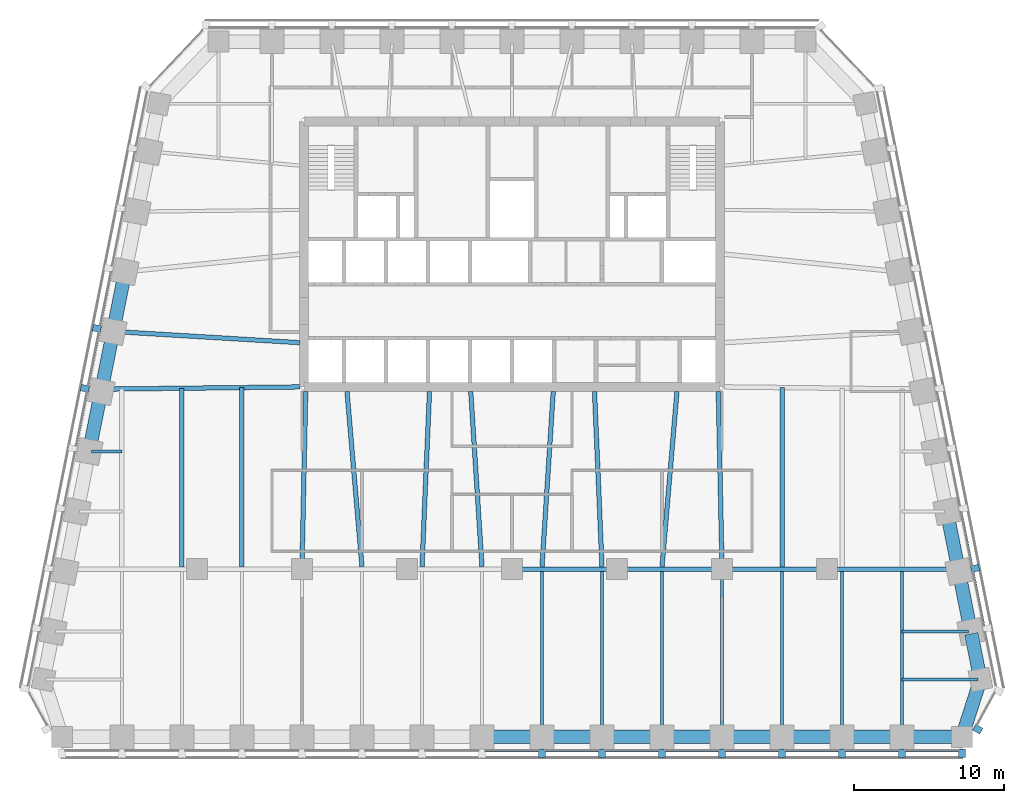
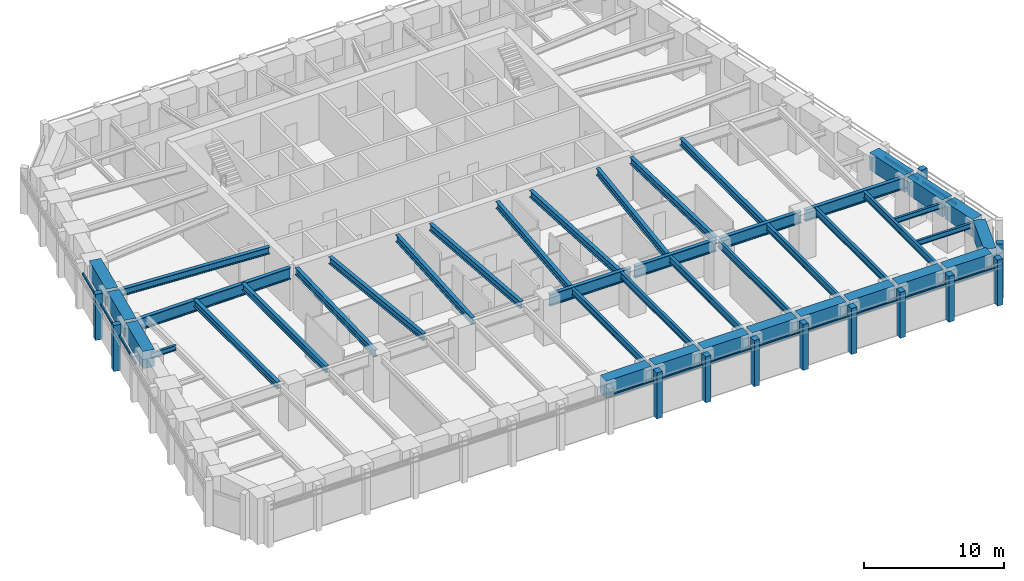
# One storey, part 2 of 10: 42 beams, 25 members, 4 elements without a shape of their own.
"""IFC4 building model written with IfcOpenShell, lengths in metres."""

import ifcopenshell
import ifcopenshell.guid

model = None  # the IFC model being written
_history = None  # IfcOwnerHistory: only IFC2X3 demands one
_inside = {}  # id of a spatial element -> (the spatial element, [elements in it])
_under = {}  # id of a project, library or spatial element -> (it, [spatial elements below it])
_declared = {}  # id of a project -> (the project, [libraries it declares])
_typed = {}  # id of a type object -> (the type object, [elements of that type])
_made_of = {}  # id of a material, layer set ... -> (it, [elements and type objects made of it])


def new_model(schema):
    """Start an empty IFC model of exactly this schema.

    Asked for "IFC4X3", IfcOpenShell would pick the latest addendum, in which some entities
    have other attributes; the version numbers below select the first issue.
    IFC2X3 requires an IfcOwnerHistory on every rooted entity: one is made here for all.
    """
    global model, _history
    if schema == "IFC4X3":
        model = ifcopenshell.file(schema_version=(4, 3, 0, 0))
    else:
        model = ifcopenshell.file(schema=schema)
    _inside.clear()
    _under.clear()
    _declared.clear()
    _typed.clear()
    _made_of.clear()
    _history = None
    if model.schema == "IFC2X3":
        org = make("IfcOrganization", Name="unknown")
        user = make(
            "IfcPersonAndOrganization",
            ThePerson=make("IfcPerson", FamilyName="unknown"),
            TheOrganization=org,
        )
        app = make(
            "IfcApplication",
            ApplicationDeveloper=org,
            Version="unknown",
            ApplicationFullName="unknown",
            ApplicationIdentifier="unknown",
        )
        _history = make(
            "IfcOwnerHistory",
            OwningUser=user,
            OwningApplication=app,
            ChangeAction="ADDED",
            CreationDate=0,
        )
    return model


def make(cls, **values):
    """One entity of the class cls with the attributes given. An attribute that is None is left unset."""
    return model.create_entity(
        cls, **{name: value for name, value in values.items() if value is not None}
    )


def rooted(cls, **values):
    """An entity with a GlobalId (a new one), such as an element, a storey or a relation."""
    return make(cls, GlobalId=ifcopenshell.guid.new(), OwnerHistory=_history, **values)


def si_unit(unit_type, name, prefix=None):
    """IfcSIUnit, for example si_unit("LENGTHUNIT", "METRE", prefix="MILLI")."""
    return make("IfcSIUnit", UnitType=unit_type, Prefix=prefix, Name=name)


def assignment(units):
    """IfcUnitAssignment: the units of a project."""
    return None if units is None else make("IfcUnitAssignment", Units=units)


def point(xyz):
    """IfcCartesianPoint."""
    return None if xyz is None else make("IfcCartesianPoint", Coordinates=xyz)


def direction(xyz):
    """IfcDirection."""
    return None if xyz is None else make("IfcDirection", DirectionRatios=xyz)


def frame(location, z_axis=None, x_axis=None):
    """IfcAxis2Placement3D, a coordinate frame: its origin and axes. An axis left out is left unset."""
    return make(
        "IfcAxis2Placement3D",
        Location=point(location),
        Axis=direction(z_axis),
        RefDirection=direction(x_axis),
    )


def frame_2d(location, x_axis=None):
    """IfcAxis2Placement2D, a coordinate frame in the plane: its origin and x axis."""
    return make(
        "IfcAxis2Placement2D", Location=point(location), RefDirection=direction(x_axis)
    )


def origin():
    """The frame at (0, 0, 0) with its axes left unset."""
    return frame((0.0, 0.0, 0.0))


def origin_2d():
    """The frame at (0, 0) in the plane with its x axis left unset."""
    return frame_2d((0.0, 0.0))


def place(relative_to, where):
    """IfcLocalPlacement: puts the frame where relative to a parent placement (None: the world)."""
    return make(
        "IfcLocalPlacement", PlacementRelTo=relative_to, RelativePlacement=where
    )


def context(
    kind, dimensions, precision=None, world=None, true_north=None, identifier=None
):
    """IfcGeometricRepresentationContext, for example the 3D "Model" context."""
    return make(
        "IfcGeometricRepresentationContext",
        ContextIdentifier=identifier,
        ContextType=kind,
        CoordinateSpaceDimension=dimensions,
        Precision=precision,
        WorldCoordinateSystem=world,
        TrueNorth=true_north,
    )


def subcontext(parent, identifier, kind, view, scale=None):
    """IfcGeometricRepresentationSubContext, for example "Body" below "Model"."""
    return make(
        "IfcGeometricRepresentationSubContext",
        ContextIdentifier=identifier,
        ContextType=kind,
        ParentContext=parent,
        TargetScale=scale,
        TargetView=view,
    )


def project(units=None, contexts=None):
    """IfcProject with its units and contexts."""
    return rooted(
        "IfcProject",
        Name="project",
        RepresentationContexts=contexts,
        UnitsInContext=assignment(units),
    )


def spatial(cls, under=None, at=None, **own):
    """A site, building, storey or space (cls), placed at a placement, below another one or the project."""
    s = rooted(cls, ObjectPlacement=at, **own)
    if under is not None:
        _under.setdefault(under.id(), (under, []))[1].append(s)
    return s


def profile(cls, at=None, kind="AREA", **sizes):
    """A parametric profile (cls). Its sizes go by their IFC names, for example OverallWidth=200.0."""
    return make(cls, ProfileType=kind, Position=at, **sizes)


def rectangle(**sizes):
    """IfcRectangleProfileDef."""
    return profile("IfcRectangleProfileDef", **sizes)


def i_section(**sizes):
    """IfcIShapeProfileDef."""
    return profile("IfcIShapeProfileDef", **sizes)


def extrude(swept, where, along, depth):
    """IfcExtrudedAreaSolid: the profile swept, set in the frame where, extruded along a direction by depth."""
    return make(
        "IfcExtrudedAreaSolid",
        SweptArea=swept,
        Position=where,
        ExtrudedDirection=direction(along),
        Depth=depth,
    )


def shape(context_of_items, identifier, shape_type, items):
    """IfcShapeRepresentation: the items that make up one representation, for example the "Body"."""
    return make(
        "IfcShapeRepresentation",
        ContextOfItems=context_of_items,
        RepresentationIdentifier=identifier,
        RepresentationType=shape_type,
        Items=items,
    )


def material(Name=None, Category=None):
    """IfcMaterial."""
    return make("IfcMaterial", Name=Name, Category=Category)


def material_profile(
    of_material, cross_section, Name=None, Category=None, Priority=None
):
    """IfcMaterialProfile: a cross section and its material."""
    return make(
        "IfcMaterialProfile",
        Name=Name,
        Material=of_material,
        Profile=cross_section,
        Priority=Priority,
        Category=Category,
    )


def profile_set(profiles, Name=None, composite=None):
    """IfcMaterialProfileSet."""
    return make(
        "IfcMaterialProfileSet",
        Name=Name,
        MaterialProfiles=profiles,
        CompositeProfile=composite,
    )


def made_of(thing, what):
    """Note that an element or type object is made of a material, layer set ...; save() writes the relation."""
    if what is not None:
        _made_of.setdefault(what.id(), (what, []))[1].append(thing)
    return thing


def type_object(cls, material=None, **own):
    """A type object (cls), such as IfcWallType, which elements share."""
    return made_of(rooted(cls, **own), material)


def element(
    cls,
    number,
    at=None,
    inside=None,
    cuts=None,
    type_object=None,
    material=None,
    context=None,
    identifier="Body",
    shape_type=None,
    held_by="IfcProductDefinitionShape",
    body=None,
    shapes=None,
    **own,
):
    """One element of the class cls, such as IfcWall. Its Tag is "e" and its number.

    at: its placement. inside: the storey or other place that contains it. cuts: it is an
    opening in that element (IfcRelVoidsElement). A single representation is given by context,
    identifier, shape_type and body (its items); several are given by shapes. held_by: the class
    of the entity that holds the representations. save() writes the other relations.
    """
    e = rooted(cls, Tag="e%d" % number, ObjectPlacement=at, **own)
    if body is not None:
        shapes = [shape(context, identifier, shape_type, body)]
    if shapes is not None:
        e.Representation = make(held_by, Representations=shapes)
    if inside is not None:
        _inside.setdefault(inside.id(), (inside, []))[1].append(e)
    if cuts is not None:
        rooted(
            "IfcRelVoidsElement", RelatingBuildingElement=cuts, RelatedOpeningElement=e
        )
    if type_object is not None:
        _typed.setdefault(type_object.id(), (type_object, []))[1].append(e)
    return made_of(e, material)


def aggregate(whole, parts):
    """IfcRelAggregates: a whole, such as a stair, and the parts it consists of."""
    return rooted("IfcRelAggregates", RelatingObject=whole, RelatedObjects=parts)


def save(model, path):
    """Write the relations noted so far, then the file.

    IfcRelAggregates (storeys below a building ...), IfcRelContainedInSpatialStructure (elements
    in a storey), IfcRelDefinesByType, IfcRelAssociatesMaterial and IfcRelDeclares: one each for
    every whole, place, type object, material and project.
    """
    for whole, parts in _under.values():
        aggregate(whole, parts)
    for where, things in _inside.values():
        rooted(
            "IfcRelContainedInSpatialStructure",
            RelatedElements=things,
            RelatingStructure=where,
        )
    for kind, things in _typed.values():
        rooted("IfcRelDefinesByType", RelatedObjects=things, RelatingType=kind)
    for what, things in _made_of.values():
        rooted("IfcRelAssociatesMaterial", RelatedObjects=things, RelatingMaterial=what)
    for by, libraries in _declared.values():
        rooted("IfcRelDeclares", RelatingContext=by, RelatedDefinitions=libraries)
    model.write(path)


model = new_model("IFC4")

# Units and contexts
model_context = context("Model", 3, precision=1e-05, world=origin(), true_north=direction((0.0, 1.0)))
body_context = subcontext(model_context, "Body", "Model", "MODEL_VIEW")
ifc_project = project(units=[si_unit("LENGTHUNIT", "METRE"), si_unit("AREAUNIT", "SQUARE_METRE"), si_unit("VOLUMEUNIT", "CUBIC_METRE"), si_unit("PLANEANGLEUNIT", "RADIAN"), si_unit("MASSUNIT", "GRAM", prefix="KILO")], contexts=[model_context])

# Site, building, storey
site_placement = place(None, origin())
site = spatial("IfcSite", under=ifc_project, at=site_placement, CompositionType="ELEMENT")
building_placement = place(site_placement, origin())
building = spatial("IfcBuilding", under=site, at=building_placement, Name="Isbrekke Arena Tower", CompositionType="ELEMENT")
storey_placement = place(building_placement, frame((0.0, 0.0, 186.0)))
storey = spatial("IfcBuildingStorey", under=building, at=storey_placement, Name="L42", CompositionType="ELEMENT", Elevation=186.0)

# Beams
ifc_material_1 = material(Name="Steel S355", Category="steel")
ifc_material_profile_1 = material_profile(ifc_material_1, i_section(OverallWidth=0.219970703125, OverallDepth=0.60009765625, WebThickness=0.011962890625, FlangeThickness=0.01904296875, FilletRadius=0.02392578125, at=origin_2d()), Name="IPE 600")
ifc_profile_set_1 = profile_set([ifc_material_profile_1], Name="Steel S355")
beam_type_1 = type_object("IfcBeamType", Name="B1 IPE 600", PredefinedType="BEAM", material=ifc_profile_set_1)
for number, where, z_axis, x_axis, name in (
    (1, (2.0, -17.02490234375, 3.550048828125), (0.0, 1.0, 0.0), (-1.0, 0.0, 0.0), "B1 beam S-S09 L42"),
    (2, (6.0, -17.02490234375, 3.550048828125), (0.0, 1.0, 0.0), (-1.0, 0.0, 0.0), "B1 beam S-S10 L42"),
    (3, (10.0, -17.02490234375, 3.550048828125), (0.0, 1.0, 0.0), (-1.0, 0.0, 0.0), "B1 beam S-S11 L42"),
):
    element("IfcBeam", number, at=place(storey_placement, frame(where, z_axis=z_axis, x_axis=x_axis)), inside=storey, type_object=beam_type_1, Name=name, PredefinedType="BEAM", context=body_context, shape_type="SweptSolid", body=[
        extrude(i_section(OverallWidth=0.219970703125, OverallDepth=0.60009765625, WebThickness=0.011962890625, FlangeThickness=0.01904296875, FilletRadius=0.02392578125, at=origin_2d()), origin(), (0.0, 0.0, 1.0), 10.8740234375),
    ])
beam_1_placement = place(storey_placement, frame((14.0, -17.02490234375, 3.550048828125), z_axis=(0.0, 1.0, 0.0), x_axis=(-1.0, 0.0, 0.0)))
element("IfcBeam", 4, at=beam_1_placement, inside=storey, type_object=beam_type_1, Name="B1 beam S-S12 L42", PredefinedType="BEAM", context=body_context, shape_type="SweptSolid", body=[
    extrude(i_section(OverallWidth=0.219970703125, OverallDepth=0.60009765625, WebThickness=0.011962890625, FlangeThickness=0.01904296875, FilletRadius=0.02392578125, at=origin_2d()), origin(), (0.0, 0.0, 1.0), 10.875),
])
for number, where, z_axis, x_axis, name in (
    (5, (18.0, -17.02490234375, 3.550048828125), (0.0, 1.0, 0.0), (-1.0, 0.0, 0.0), "B1 beam S-S13 L42"),
    (6, (22.0, -17.02490234375, 3.550048828125), (0.0, 1.0, 0.0), (-1.0, 0.0, 0.0), "B1 beam S-S14 L42"),
    (7, (26.0, -17.02490234375, 3.550048828125), (0.0, 1.0, 0.0), (-1.0, 0.0, 0.0), "B1 beam S-S15 L42"),
):
    element("IfcBeam", number, at=place(storey_placement, frame(where, z_axis=z_axis, x_axis=x_axis)), inside=storey, type_object=beam_type_1, Name=name, PredefinedType="BEAM", context=body_context, shape_type="SweptSolid", body=[
        extrude(i_section(OverallWidth=0.219970703125, OverallDepth=0.60009765625, WebThickness=0.011962890625, FlangeThickness=0.01904296875, FilletRadius=0.02392578125, at=origin_2d()), origin(), (0.0, 0.0, 1.0), 10.8740234375),
    ])
ifc_material_2 = material(Name="Steel S355", Category="steel")
ifc_material_profile_2 = material_profile(ifc_material_2, i_section(OverallWidth=0.18994140625, OverallDepth=0.449951171875, WebThickness=0.009521484375, FlangeThickness=0.0146484375, FilletRadius=0.02099609375, at=origin_2d()), Name="IPE 450")
ifc_profile_set_2 = profile_set([ifc_material_profile_2], Name="Steel S355")
beam_type_2 = type_object("IfcBeamType", Name="B2 IPE 450", PredefinedType="BEAM", material=ifc_profile_set_2)
beam_2_placement = place(storey_placement, frame((31.079345703125, -13.352783203125, 3.625), z_axis=(-1.0, 0.0, 0.0), x_axis=(0.0, -1.0, 0.0)))
element("IfcBeam", 8, at=beam_2_placement, inside=storey, type_object=beam_type_2, Name="B2 beam E-E01 L42", PredefinedType="BEAM", context=body_context, shape_type="SweptSolid", body=[
    extrude(i_section(OverallWidth=0.18994140625, OverallDepth=0.449951171875, WebThickness=0.009521484375, FlangeThickness=0.0146484375, FilletRadius=0.02099609375, at=origin_2d()), origin(), (0.0, 0.0, 1.0), 5.079345703125),
])
beam_3_placement = place(storey_placement, frame((30.44091796875, -10.161865234375, 3.625), z_axis=(-1.0, 0.0, 0.0), x_axis=(0.0, -1.0, 0.0)))
element("IfcBeam", 9, at=beam_3_placement, inside=storey, type_object=beam_type_2, Name="B2 beam E-E02 L42", PredefinedType="BEAM", context=body_context, shape_type="SweptSolid", body=[
    extrude(i_section(OverallWidth=0.18994140625, OverallDepth=0.449951171875, WebThickness=0.009521484375, FlangeThickness=0.0146484375, FilletRadius=0.02099609375, at=origin_2d()), origin(), (0.0, 0.0, 1.0), 4.44091796875),
])
beam_4_placement = place(storey_placement, frame((-28.041015625, 1.838134765625, 3.625), z_axis=(1.0, 0.0, 0.0), x_axis=(0.0, 1.0, 0.0)))
element("IfcBeam", 10, at=beam_4_placement, inside=storey, type_object=beam_type_2, Name="B2 beam E-W07 L42", PredefinedType="BEAM", context=body_context, shape_type="SweptSolid", body=[
    extrude(i_section(OverallWidth=0.18994140625, OverallDepth=0.449951171875, WebThickness=0.009521484375, FlangeThickness=0.0146484375, FilletRadius=0.02099609375, at=origin_2d()), origin(), (0.0, 0.0, 1.0), 2.041015625),
])
ifc_material_3 = material(Name="Steel S355", Category="steel")
ifc_material_profile_3 = material_profile(ifc_material_3, i_section(OverallWidth=0.300048828125, OverallDepth=0.60009765625, WebThickness=0.015380859375, FlangeThickness=0.030029296875, FilletRadius=0.027099609375, at=origin_2d()), Name="HEB 600")
ifc_profile_set_3 = profile_set([ifc_material_profile_3], Name="Steel S355")
beam_type_3 = type_object("IfcBeamType", Name="B7 HEB 600", PredefinedType="BEAM", material=ifc_profile_set_3)
beam_5_placement = place(storey_placement, frame((-22.0, -5.84912109375, 3.550048828125), z_axis=(0.0, 1.0, 0.0), x_axis=(-1.0, 0.0, 0.0)))
element("IfcBeam", 11, at=beam_5_placement, inside=storey, type_object=beam_type_3, Name="B7 beam C-M02 L42", PredefinedType="BEAM", context=body_context, shape_type="SweptSolid", body=[
    extrude(i_section(OverallWidth=0.300048828125, OverallDepth=0.60009765625, WebThickness=0.015380859375, FlangeThickness=0.030029296875, FilletRadius=0.027099609375, at=origin_2d()), origin(), (0.0, 0.0, 1.0), 11.91015625),
])
beam_6_placement = place(storey_placement, frame((-18.0, -5.84912109375, 3.550048828125), z_axis=(0.0, 1.0, 0.0), x_axis=(-1.0, 0.0, 0.0)))
element("IfcBeam", 12, at=beam_6_placement, inside=storey, type_object=beam_type_3, Name="B7 beam C-M03 L42", PredefinedType="BEAM", context=body_context, shape_type="SweptSolid", body=[
    extrude(i_section(OverallWidth=0.300048828125, OverallDepth=0.60009765625, WebThickness=0.015380859375, FlangeThickness=0.030029296875, FilletRadius=0.027099609375, at=origin_2d()), origin(), (0.0, 0.0, 1.0), 11.95556640625),
])
beam_7_placement = place(storey_placement, frame((-14.0, -5.8466796875, 3.550048828125), z_axis=(0.021368528218, 0.999771666933, 0.0), x_axis=(-0.999771666933, 0.021368528218, 0.0)))
element("IfcBeam", 13, at=beam_7_placement, inside=storey, type_object=beam_type_3, Name="B7 beam C-M04 L42", PredefinedType="BEAM", context=body_context, shape_type="SweptSolid", body=[
    extrude(i_section(OverallWidth=0.300048828125, OverallDepth=0.60009765625, WebThickness=0.015380859375, FlangeThickness=0.030029296875, FilletRadius=0.027099609375, at=origin_2d()), origin(), (0.0, 0.0, 1.0), 11.699462890625),
])
beam_8_placement = place(storey_placement, frame((-10.0009765625, -5.836181640625, 3.550048828125), z_axis=(-0.085176202372, 0.996365903948, 0.0), x_axis=(-0.996365903948, -0.085176202372, 0.0)))
element("IfcBeam", 14, at=beam_8_placement, inside=storey, type_object=beam_type_3, Name="B7 beam C-M05 L42", PredefinedType="BEAM", context=body_context, shape_type="SweptSolid", body=[
    extrude(i_section(OverallWidth=0.300048828125, OverallDepth=0.60009765625, WebThickness=0.015380859375, FlangeThickness=0.030029296875, FilletRadius=0.027099609375, at=origin_2d()), origin(), (0.0, 0.0, 1.0), 11.72900390625),
])
beam_9_placement = place(storey_placement, frame((-5.999755859375, -5.842529296875, 3.550048828125), z_axis=(0.042702124015, 0.999087848292, 0.0), x_axis=(-0.999087848292, 0.042702124015, 0.0)))
element("IfcBeam", 15, at=beam_9_placement, inside=storey, type_object=beam_type_3, Name="B7 beam C-M06 L42", PredefinedType="BEAM", context=body_context, shape_type="SweptSolid", body=[
    extrude(i_section(OverallWidth=0.300048828125, OverallDepth=0.60009765625, WebThickness=0.015380859375, FlangeThickness=0.030029296875, FilletRadius=0.027099609375, at=origin_2d()), origin(), (0.0, 0.0, 1.0), 11.703369140625),
])
for number, where, z_axis, x_axis, name in (
    (16, (-2.000732421875, -5.83935546875, 3.550048828125), (-0.063966475255, 0.997952047968, 0.0), (-0.997952047968, -0.063966475255, 0.0), "B7 beam C-M07 L42"),
    (17, (2.000732421875, -5.83935546875, 3.550048828125), (0.063966475255, 0.997952047968, 0.0), (-0.997952047968, 0.063966475255, 0.0), "B7 beam C-M08 L42"),
):
    element("IfcBeam", number, at=place(storey_placement, frame(where, z_axis=z_axis, x_axis=x_axis)), inside=storey, type_object=beam_type_3, Name=name, PredefinedType="BEAM", context=body_context, shape_type="SweptSolid", body=[
        extrude(i_section(OverallWidth=0.300048828125, OverallDepth=0.60009765625, WebThickness=0.015380859375, FlangeThickness=0.030029296875, FilletRadius=0.027099609375, at=origin_2d()), origin(), (0.0, 0.0, 1.0), 11.71337890625),
    ])
beam_10_placement = place(storey_placement, frame((5.999755859375, -5.842529296875, 3.550048828125), z_axis=(-0.042702124015, 0.999087848292, 0.0), x_axis=(-0.999087848292, -0.042702124015, 0.0)))
element("IfcBeam", 18, at=beam_10_placement, inside=storey, type_object=beam_type_3, Name="B7 beam C-M09 L42", PredefinedType="BEAM", context=body_context, shape_type="SweptSolid", body=[
    extrude(i_section(OverallWidth=0.300048828125, OverallDepth=0.60009765625, WebThickness=0.015380859375, FlangeThickness=0.030029296875, FilletRadius=0.027099609375, at=origin_2d()), origin(), (0.0, 0.0, 1.0), 11.703369140625),
])
beam_11_placement = place(storey_placement, frame((10.0009765625, -5.836181640625, 3.550048828125), z_axis=(0.085176202372, 0.996365903948, 0.0), x_axis=(-0.996365903948, 0.085176202372, 0.0)))
element("IfcBeam", 19, at=beam_11_placement, inside=storey, type_object=beam_type_3, Name="B7 beam C-M10 L42", PredefinedType="BEAM", context=body_context, shape_type="SweptSolid", body=[
    extrude(i_section(OverallWidth=0.300048828125, OverallDepth=0.60009765625, WebThickness=0.015380859375, FlangeThickness=0.030029296875, FilletRadius=0.027099609375, at=origin_2d()), origin(), (0.0, 0.0, 1.0), 11.72900390625),
])
beam_12_placement = place(storey_placement, frame((14.0, -5.8466796875, 3.550048828125), z_axis=(-0.021368528218, 0.999771666933, 0.0), x_axis=(-0.999771666933, -0.021368528218, 0.0)))
element("IfcBeam", 20, at=beam_12_placement, inside=storey, type_object=beam_type_3, Name="B7 beam C-M11 L42", PredefinedType="BEAM", context=body_context, shape_type="SweptSolid", body=[
    extrude(i_section(OverallWidth=0.300048828125, OverallDepth=0.60009765625, WebThickness=0.015380859375, FlangeThickness=0.030029296875, FilletRadius=0.027099609375, at=origin_2d()), origin(), (0.0, 0.0, 1.0), 11.699462890625),
])
beam_13_placement = place(storey_placement, frame((18.0, -5.84912109375, 3.550048828125), z_axis=(0.0, 1.0, 0.0), x_axis=(-1.0, 0.0, 0.0)))
element("IfcBeam", 21, at=beam_13_placement, inside=storey, type_object=beam_type_3, Name="B7 beam C-M12 L42", PredefinedType="BEAM", context=body_context, shape_type="SweptSolid", body=[
    extrude(i_section(OverallWidth=0.300048828125, OverallDepth=0.60009765625, WebThickness=0.015380859375, FlangeThickness=0.030029296875, FilletRadius=0.027099609375, at=origin_2d()), origin(), (0.0, 0.0, 1.0), 11.95556640625),
])
beam_14_placement = place(storey_placement, frame((-26.43212890625, 9.837646484375, 3.550048828125), z_axis=(0.998201854902, -0.059942112659, 0.0), x_axis=(0.059942112659, 0.998201854902, 0.0)))
element("IfcBeam", 22, at=beam_14_placement, inside=storey, type_object=beam_type_3, Name="B7 beam E-W05 L42", PredefinedType="BEAM", context=body_context, shape_type="SweptSolid", body=[
    extrude(i_section(OverallWidth=0.300048828125, OverallDepth=0.60009765625, WebThickness=0.015380859375, FlangeThickness=0.030029296875, FilletRadius=0.027099609375, at=origin_2d()), origin(), (0.0, 0.0, 1.0), 12.304443359375),
])

# Curtain wall, members
ifc_material_4 = material(Name="Glazed aluminium curtain wall", Category="aluminium")
curtain_wall_type = type_object("IfcCurtainWallType", Name="CWH TOWER CURTAIN WALL HIGH ZONE", PredefinedType="USERDEFINED", material=ifc_material_4)
curtain_wall_1_placement = place(storey_placement, origin())
curtain_wall_1 = element("IfcCurtainWall", 23, at=curtain_wall_1_placement, inside=storey, type_object=curtain_wall_type, Name="CWH curtain wall L42-S", ObjectType="TOWER CURTAIN WALL HIGH ZONE", PredefinedType="USERDEFINED")
ifc_material_5 = material(Name="Aluminium mullion, pale brick slip cladding", Category="masonry")
ifc_material_profile_4 = material_profile(ifc_material_5, rectangle(XDim=0.449951171875, YDim=0.550048828125, at=origin_2d()), Name="PIER 450X550")
ifc_profile_set_4 = profile_set([ifc_material_profile_4], Name="Aluminium mullion, pale brick slip cladding")
member_type_1 = type_object("IfcMemberType", Name="CWH-M PIER MULLION 450 x 550", PredefinedType="MULLION", material=ifc_profile_set_4)
member_1_placement = place(storey_placement, frame((2.0, -18.27490234375, 0.0), z_axis=(0.0, 0.0, 1.0), x_axis=(1.0, 0.0, 0.0)))
member_1 = element("IfcMember", 24, at=member_1_placement, type_object=member_type_1, Name="CWH-M mullion 9", PredefinedType="MULLION", context=body_context, shape_type="SweptSolid", body=[
    extrude(rectangle(XDim=0.449951171875, YDim=0.550048828125, at=origin_2d()), origin(), (0.0, 0.0, 1.0), 4.0),
])
member_2_placement = place(storey_placement, frame((6.0, -18.27490234375, 0.0), z_axis=(0.0, 0.0, 1.0), x_axis=(1.0, 0.0, 0.0)))
member_2 = element("IfcMember", 25, at=member_2_placement, type_object=member_type_1, Name="CWH-M mullion 10", PredefinedType="MULLION", context=body_context, shape_type="SweptSolid", body=[
    extrude(rectangle(XDim=0.449951171875, YDim=0.550048828125, at=origin_2d()), origin(), (0.0, 0.0, 1.0), 4.0),
])
member_3_placement = place(storey_placement, frame((10.0, -18.27490234375, 0.0), z_axis=(0.0, 0.0, 1.0), x_axis=(1.0, 0.0, 0.0)))
member_3 = element("IfcMember", 26, at=member_3_placement, type_object=member_type_1, Name="CWH-M mullion 11", PredefinedType="MULLION", context=body_context, shape_type="SweptSolid", body=[
    extrude(rectangle(XDim=0.449951171875, YDim=0.550048828125, at=origin_2d()), origin(), (0.0, 0.0, 1.0), 4.0),
])
member_4_placement = place(storey_placement, frame((14.0, -18.27490234375, 0.0), z_axis=(0.0, 0.0, 1.0), x_axis=(1.0, 0.0, 0.0)))
member_4 = element("IfcMember", 27, at=member_4_placement, type_object=member_type_1, Name="CWH-M mullion 12", PredefinedType="MULLION", context=body_context, shape_type="SweptSolid", body=[
    extrude(rectangle(XDim=0.449951171875, YDim=0.550048828125, at=origin_2d()), origin(), (0.0, 0.0, 1.0), 4.0),
])
member_5_placement = place(storey_placement, frame((18.0, -18.27490234375, 0.0), z_axis=(0.0, 0.0, 1.0), x_axis=(1.0, 0.0, 0.0)))
member_5 = element("IfcMember", 28, at=member_5_placement, type_object=member_type_1, Name="CWH-M mullion 13", PredefinedType="MULLION", context=body_context, shape_type="SweptSolid", body=[
    extrude(rectangle(XDim=0.449951171875, YDim=0.550048828125, at=origin_2d()), origin(), (0.0, 0.0, 1.0), 4.0),
])
member_6_placement = place(storey_placement, frame((22.0, -18.27490234375, 0.0), z_axis=(0.0, 0.0, 1.0), x_axis=(1.0, 0.0, 0.0)))
member_6 = element("IfcMember", 29, at=member_6_placement, type_object=member_type_1, Name="CWH-M mullion 14", PredefinedType="MULLION", context=body_context, shape_type="SweptSolid", body=[
    extrude(rectangle(XDim=0.449951171875, YDim=0.550048828125, at=origin_2d()), origin(), (0.0, 0.0, 1.0), 4.0),
])
member_7_placement = place(storey_placement, frame((26.0, -18.27490234375, 0.0), z_axis=(0.0, 0.0, 1.0), x_axis=(1.0, 0.0, 0.0)))
member_7 = element("IfcMember", 30, at=member_7_placement, type_object=member_type_1, Name="CWH-M mullion 15", PredefinedType="MULLION", context=body_context, shape_type="SweptSolid", body=[
    extrude(rectangle(XDim=0.449951171875, YDim=0.550048828125, at=origin_2d()), origin(), (0.0, 0.0, 1.0), 4.0),
])
member_8_placement = place(storey_placement, frame((30.0, -18.27490234375, 0.0), z_axis=(0.0, 0.0, 1.0), x_axis=(1.0, 0.0, 0.0)))
member_8 = element("IfcMember", 31, at=member_8_placement, type_object=member_type_1, Name="CWH-M mullion 16", PredefinedType="MULLION", context=body_context, shape_type="SweptSolid", body=[
    extrude(rectangle(XDim=0.449951171875, YDim=0.550048828125, at=origin_2d()), origin(), (0.0, 0.0, 1.0), 4.0),
])

# Curtain wall, member
curtain_wall_2_placement = place(storey_placement, origin())
curtain_wall_2 = element("IfcCurtainWall", 32, at=curtain_wall_2_placement, inside=storey, type_object=curtain_wall_type, Name="CWH curtain wall L42-SE", ObjectType="TOWER CURTAIN WALL HIGH ZONE", PredefinedType="USERDEFINED")
member_9_placement = place(storey_placement, frame((31.047119140625, -16.666748046875, 0.0), z_axis=(0.0, 0.0, 1.0), x_axis=(0.481918749773, 0.876215908676, 0.0)))
member_9 = element("IfcMember", 33, at=member_9_placement, type_object=member_type_1, Name="CWH-M mullion 1", PredefinedType="MULLION", context=body_context, shape_type="SweptSolid", body=[
    extrude(rectangle(XDim=0.449951171875, YDim=0.550048828125, at=origin_2d()), origin(), (0.0, 0.0, 1.0), 4.0),
])
aggregate(curtain_wall_2, [member_9])

curtain_wall_3_placement = place(storey_placement, origin())
curtain_wall_3 = element("IfcCurtainWall", 34, at=curtain_wall_3_placement, inside=storey, type_object=curtain_wall_type, Name="CWH curtain wall L42-E", ObjectType="TOWER CURTAIN WALL HIGH ZONE", PredefinedType="USERDEFINED")
member_10_placement = place(storey_placement, frame((30.86962890625, -5.946044921875, 0.0), z_axis=(0.0, 0.0, 1.0), x_axis=(-0.196116135138, 0.980580675691, 0.0)))
member_10 = element("IfcMember", 35, at=member_10_placement, type_object=member_type_1, Name="CWH-M mullion 2", PredefinedType="MULLION", context=body_context, shape_type="SweptSolid", body=[
    extrude(rectangle(XDim=0.449951171875, YDim=0.550048828125, at=origin_2d()), origin(), (0.0, 0.0, 1.0), 4.0),
])

# Curtain wall, members
curtain_wall_4_placement = place(storey_placement, origin())
curtain_wall_4 = element("IfcCurtainWall", 36, at=curtain_wall_4_placement, inside=storey, type_object=curtain_wall_type, Name="CWH curtain wall L42-W", ObjectType="TOWER CURTAIN WALL HIGH ZONE", PredefinedType="USERDEFINED")
member_11_placement = place(storey_placement, frame((-27.669677734375, 10.053955078125, 0.0), z_axis=(0.0, 0.0, 1.0), x_axis=(-0.196116135138, -0.980580675691, 0.0)))
member_11 = element("IfcMember", 37, at=member_11_placement, type_object=member_type_1, Name="CWH-M mullion 4", PredefinedType="MULLION", context=body_context, shape_type="SweptSolid", body=[
    extrude(rectangle(XDim=0.449951171875, YDim=0.550048828125, at=origin_2d()), origin(), (0.0, 0.0, 1.0), 4.0),
])
member_12_placement = place(storey_placement, frame((-28.4697265625, 6.053955078125, 0.0), z_axis=(0.0, 0.0, 1.0), x_axis=(-0.196116135138, -0.980580675691, 0.0)))
member_12 = element("IfcMember", 38, at=member_12_placement, type_object=member_type_1, Name="CWH-M mullion 5", PredefinedType="MULLION", context=body_context, shape_type="SweptSolid", body=[
    extrude(rectangle(XDim=0.449951171875, YDim=0.550048828125, at=origin_2d()), origin(), (0.0, 0.0, 1.0), 4.0),
])

# Member
ifc_material_6 = material(Name="Aluminium transom", Category="aluminium")
ifc_material_profile_5 = material_profile(ifc_material_6, rectangle(XDim=0.1201171875, YDim=0.199951171875, at=origin_2d()), Name="TRANSOM 120X200")
ifc_profile_set_5 = profile_set([ifc_material_profile_5], Name="Aluminium transom")
member_type_2 = type_object("IfcMemberType", Name="CWH-T TRANSOM 120 x 200", PredefinedType="USERDEFINED", material=ifc_profile_set_5)
member_13_placement = place(storey_placement, frame((-1.77490234375, -18.10009765625, 3.0), z_axis=(1.0, 0.0, 0.0), x_axis=(0.0, 1.0, 0.0)))
member_13 = element("IfcMember", 39, at=member_13_placement, type_object=member_type_2, Name="CWH-T transom 8", ObjectType="TRANSOM", PredefinedType="USERDEFINED", context=body_context, shape_type="SweptSolid", body=[
    extrude(rectangle(XDim=0.1201171875, YDim=0.199951171875, at=origin_2d()), origin(), (0.0, 0.0, 1.0), 3.5498046875),
])

member_14_placement = place(storey_placement, frame((2.22509765625, -18.10009765625, 3.0), z_axis=(1.0, 0.0, 0.0), x_axis=(0.0, 1.0, 0.0)))
member_14 = element("IfcMember", 40, at=member_14_placement, type_object=member_type_2, Name="CWH-T transom 9", ObjectType="TRANSOM", PredefinedType="USERDEFINED", context=body_context, shape_type="SweptSolid", body=[
    extrude(rectangle(XDim=0.1201171875, YDim=0.199951171875, at=origin_2d()), origin(), (0.0, 0.0, 1.0), 3.5498046875),
])

member_15_placement = place(storey_placement, frame((6.22509765625, -18.10009765625, 3.0), z_axis=(1.0, 0.0, 0.0), x_axis=(0.0, 1.0, 0.0)))
member_15 = element("IfcMember", 41, at=member_15_placement, type_object=member_type_2, Name="CWH-T transom 10", ObjectType="TRANSOM", PredefinedType="USERDEFINED", context=body_context, shape_type="SweptSolid", body=[
    extrude(rectangle(XDim=0.1201171875, YDim=0.199951171875, at=origin_2d()), origin(), (0.0, 0.0, 1.0), 3.5498046875),
])

member_16_placement = place(storey_placement, frame((10.22509765625, -18.10009765625, 3.0), z_axis=(1.0, 0.0, 0.0), x_axis=(0.0, 1.0, 0.0)))
member_16 = element("IfcMember", 42, at=member_16_placement, type_object=member_type_2, Name="CWH-T transom 11", ObjectType="TRANSOM", PredefinedType="USERDEFINED", context=body_context, shape_type="SweptSolid", body=[
    extrude(rectangle(XDim=0.1201171875, YDim=0.199951171875, at=origin_2d()), origin(), (0.0, 0.0, 1.0), 3.5498046875),
])

member_17_placement = place(storey_placement, frame((14.22509765625, -18.10009765625, 3.0), z_axis=(1.0, 0.0, 0.0), x_axis=(0.0, 1.0, 0.0)))
member_17 = element("IfcMember", 43, at=member_17_placement, type_object=member_type_2, Name="CWH-T transom 12", ObjectType="TRANSOM", PredefinedType="USERDEFINED", context=body_context, shape_type="SweptSolid", body=[
    extrude(rectangle(XDim=0.1201171875, YDim=0.199951171875, at=origin_2d()), origin(), (0.0, 0.0, 1.0), 3.5498046875),
])

member_18_placement = place(storey_placement, frame((18.22509765625, -18.10009765625, 3.0), z_axis=(1.0, 0.0, 0.0), x_axis=(0.0, 1.0, 0.0)))
member_18 = element("IfcMember", 44, at=member_18_placement, type_object=member_type_2, Name="CWH-T transom 13", ObjectType="TRANSOM", PredefinedType="USERDEFINED", context=body_context, shape_type="SweptSolid", body=[
    extrude(rectangle(XDim=0.1201171875, YDim=0.199951171875, at=origin_2d()), origin(), (0.0, 0.0, 1.0), 3.5498046875),
])

member_19_placement = place(storey_placement, frame((22.22509765625, -18.10009765625, 3.0), z_axis=(1.0, 0.0, 0.0), x_axis=(0.0, 1.0, 0.0)))
member_19 = element("IfcMember", 45, at=member_19_placement, type_object=member_type_2, Name="CWH-T transom 14", ObjectType="TRANSOM", PredefinedType="USERDEFINED", context=body_context, shape_type="SweptSolid", body=[
    extrude(rectangle(XDim=0.1201171875, YDim=0.199951171875, at=origin_2d()), origin(), (0.0, 0.0, 1.0), 3.5498046875),
])

member_20_placement = place(storey_placement, frame((26.22509765625, -18.10009765625, 3.0), z_axis=(1.0, 0.0, 0.0), x_axis=(0.0, 1.0, 0.0)))
member_20 = element("IfcMember", 46, at=member_20_placement, type_object=member_type_2, Name="CWH-T transom 15", ObjectType="TRANSOM", PredefinedType="USERDEFINED", context=body_context, shape_type="SweptSolid", body=[
    extrude(rectangle(XDim=0.1201171875, YDim=0.199951171875, at=origin_2d()), origin(), (0.0, 0.0, 1.0), 3.5498046875),
])

aggregate(curtain_wall_1, [member_1, member_2, member_3, member_4, member_5, member_6, member_7, member_8, member_13, member_14, member_15, member_16, member_17, member_18, member_19, member_20])

member_21_placement = place(storey_placement, frame((31.453857421875, -9.759765625, 3.0), z_axis=(-0.196090262229, 0.980585849918, 0.0), x_axis=(-0.980585849918, -0.196090262229, 0.0)))
member_21 = element("IfcMember", 47, at=member_21_placement, type_object=member_type_2, Name="CWH-T transom 2", ObjectType="TRANSOM", PredefinedType="USERDEFINED", context=body_context, shape_type="SweptSolid", body=[
    extrude(rectangle(XDim=0.1201171875, YDim=0.199951171875, at=origin_2d()), origin(), (0.0, 0.0, 1.0), 3.62939453125),
])

member_22_placement = place(storey_placement, frame((30.654052734375, -5.759765625, 3.0), z_axis=(-0.196154943734, 0.980572913173, 0.0), x_axis=(-0.980572913173, -0.196154943734, 0.0)))
member_22 = element("IfcMember", 48, at=member_22_placement, type_object=member_type_2, Name="CWH-T transom 3", ObjectType="TRANSOM", PredefinedType="USERDEFINED", context=body_context, shape_type="SweptSolid", body=[
    extrude(rectangle(XDim=0.1201171875, YDim=0.199951171875, at=origin_2d()), origin(), (0.0, 0.0, 1.0), 3.62939453125),
])

aggregate(curtain_wall_3, [member_10, member_21, member_22])

member_23_placement = place(storey_placement, frame((-26.7421875, 13.799072265625, 3.0), z_axis=(-0.196090262229, -0.980585849918, 0.0), x_axis=(0.980585849918, -0.196090262229, 0.0)))
member_23 = element("IfcMember", 49, at=member_23_placement, type_object=member_type_2, Name="CWH-T transom 4", ObjectType="TRANSOM", PredefinedType="USERDEFINED", context=body_context, shape_type="SweptSolid", body=[
    extrude(rectangle(XDim=0.1201171875, YDim=0.199951171875, at=origin_2d()), origin(), (0.0, 0.0, 1.0), 3.62939453125),
])

member_24_placement = place(storey_placement, frame((-27.542236328125, 9.799072265625, 3.0), z_axis=(-0.196090262229, -0.980585849918, 0.0), x_axis=(0.980585849918, -0.196090262229, 0.0)))
member_24 = element("IfcMember", 50, at=member_24_placement, type_object=member_type_2, Name="CWH-T transom 5", ObjectType="TRANSOM", PredefinedType="USERDEFINED", context=body_context, shape_type="SweptSolid", body=[
    extrude(rectangle(XDim=0.1201171875, YDim=0.199951171875, at=origin_2d()), origin(), (0.0, 0.0, 1.0), 3.62939453125),
])

member_25_placement = place(storey_placement, frame((-28.34228515625, 5.799072265625, 3.0), z_axis=(-0.196090262229, -0.980585849918, 0.0), x_axis=(0.980585849918, -0.196090262229, 0.0)))
member_25 = element("IfcMember", 51, at=member_25_placement, type_object=member_type_2, Name="CWH-T transom 6", ObjectType="TRANSOM", PredefinedType="USERDEFINED", context=body_context, shape_type="SweptSolid", body=[
    extrude(rectangle(XDim=0.1201171875, YDim=0.199951171875, at=origin_2d()), origin(), (0.0, 0.0, 1.0), 3.62939453125),
])

aggregate(curtain_wall_4, [member_11, member_12, member_23, member_24, member_25])

# Beams
ifc_material_7 = material(Name="Steel S355", Category="steel")
ifc_material_profile_6 = material_profile(ifc_material_7, i_section(OverallWidth=0.302001953125, OverallDepth=1.008056640625, WebThickness=0.02099609375, FlangeThickness=0.0400390625, FilletRadius=0.030029296875, at=origin_2d()), Name="HEM 1000")
ifc_profile_set_6 = profile_set([ifc_material_profile_6], Name="Steel S355")
beam_type_4 = type_object("IfcBeamType", Name="G1 HEM 1000", PredefinedType="BEAM", material=ifc_profile_set_6)
for number, where, z_axis, x_axis, name in (
    (52, (0.14990234375, -6.0, 3.345947265625), (1.0, 0.0, 0.0), (0.0, 1.0, 0.0), "G1 beam G1-05 L42"),
    (53, (7.14990234375, -6.0, 3.345947265625), (1.0, 0.0, 0.0), (0.0, 1.0, 0.0), "G1 beam G1-06 L42"),
    (54, (14.14990234375, -6.0, 3.345947265625), (1.0, 0.0, 0.0), (0.0, 1.0, 0.0), "G1 beam G1-07 L42"),
):
    element("IfcBeam", number, at=place(storey_placement, frame(where, z_axis=z_axis, x_axis=x_axis)), inside=storey, type_object=beam_type_4, Name=name, PredefinedType="BEAM", context=body_context, shape_type="SweptSolid", body=[
        extrude(i_section(OverallWidth=0.302001953125, OverallDepth=1.008056640625, WebThickness=0.02099609375, FlangeThickness=0.0400390625, FilletRadius=0.030029296875, at=origin_2d()), origin(), (0.0, 0.0, 1.0), 6.7001953125),
    ])
beam_15_placement = place(storey_placement, frame((21.14990234375, -6.0, 3.345947265625), z_axis=(1.0, 0.0, 0.0), x_axis=(0.0, 1.0, 0.0)))
element("IfcBeam", 55, at=beam_15_placement, inside=storey, type_object=beam_type_4, Name="G1 beam G1-08 L42", PredefinedType="BEAM", context=body_context, shape_type="SweptSolid", body=[
    extrude(i_section(OverallWidth=0.302001953125, OverallDepth=1.008056640625, WebThickness=0.02099609375, FlangeThickness=0.0400390625, FilletRadius=0.030029296875, at=origin_2d()), origin(), (0.0, 0.0, 1.0), 8.64111328125),
])
ifc_material_8 = material(Name="Steel S355", Category="steel")
ifc_material_profile_7 = material_profile(ifc_material_8, i_section(OverallWidth=0.302001953125, OverallDepth=1.008056640625, WebThickness=0.02099609375, FlangeThickness=0.0400390625, FilletRadius=0.030029296875, at=origin_2d()), Name="HEM 1000")
ifc_profile_set_7 = profile_set([ifc_material_profile_7], Name="Steel S355")
beam_type_5 = type_object("IfcBeamType", Name="G2 HEM 1000", PredefinedType="BEAM", material=ifc_profile_set_7)
beam_16_placement = place(storey_placement, frame((-14.14990234375, 6.14990234375, 3.345947265625), z_axis=(-0.999935908299, -0.011321629528, 0.0), x_axis=(0.011321629528, -0.999935908299, 0.0)))
element("IfcBeam", 56, at=beam_16_placement, inside=storey, type_object=beam_type_5, Name="G2 beam G2-W L42", PredefinedType="BEAM", context=body_context, shape_type="SweptSolid", body=[
    extrude(i_section(OverallWidth=0.302001953125, OverallDepth=1.008056640625, WebThickness=0.02099609375, FlangeThickness=0.0400390625, FilletRadius=0.030029296875, at=origin_2d()), origin(), (0.0, 0.0, 1.0), 13.240234375),
])
ifc_material_9 = material(Name="Concrete B65 (C65/80)", Category="concrete")
ifc_material_profile_8 = material_profile(ifc_material_9, rectangle(XDim=0.89990234375, YDim=1.5, at=origin_2d()), Name="RC 900x1500")
ifc_profile_set_8 = profile_set([ifc_material_profile_8], Name="Concrete B65 (C65/80)")
beam_type_6 = type_object("IfcBeamType", Name="SB3 RC 900 x 1500", PredefinedType="SPANDREL", material=ifc_profile_set_8)
for number, where, z_axis, x_axis, name in (
    (57, (-1.85009765625, -17.175048828125, 3.25), (1.0, 0.0, 0.0), (0.0, 1.0, 0.0), "SB3 spandrel S08-S09 L42"),
    (58, (2.14990234375, -17.175048828125, 3.25), (1.0, 0.0, 0.0), (0.0, 1.0, 0.0), "SB3 spandrel S09-S10 L42"),
    (59, (6.14990234375, -17.175048828125, 3.25), (1.0, 0.0, 0.0), (0.0, 1.0, 0.0), "SB3 spandrel S10-S11 L42"),
    (60, (10.14990234375, -17.175048828125, 3.25), (1.0, 0.0, 0.0), (0.0, 1.0, 0.0), "SB3 spandrel S11-S12 L42"),
    (61, (14.14990234375, -17.175048828125, 3.25), (1.0, 0.0, 0.0), (0.0, 1.0, 0.0), "SB3 spandrel S12-S13 L42"),
    (62, (18.14990234375, -17.175048828125, 3.25), (1.0, 0.0, 0.0), (0.0, 1.0, 0.0), "SB3 spandrel S13-S14 L42"),
    (63, (22.14990234375, -17.175048828125, 3.25), (1.0, 0.0, 0.0), (0.0, 1.0, 0.0), "SB3 spandrel S14-S15 L42"),
    (64, (26.14990234375, -17.175048828125, 3.25), (1.0, 0.0, 0.0), (0.0, 1.0, 0.0), "SB3 spandrel S15-S16 L42"),
):
    element("IfcBeam", number, at=place(storey_placement, frame(where, z_axis=z_axis, x_axis=x_axis)), inside=storey, type_object=beam_type_6, Name=name, PredefinedType="SPANDREL", context=body_context, shape_type="SweptSolid", body=[
        extrude(rectangle(XDim=0.89990234375, YDim=1.5, at=origin_2d()), origin(), (0.0, 0.0, 1.0), 3.7001953125),
    ])
beam_17_placement = place(storey_placement, frame((30.0458984375, -17.0322265625, 3.25), z_axis=(0.306175101476, 0.951975213562, 0.0), x_axis=(-0.951975213562, 0.306175101476, 0.0)))
element("IfcBeam", 65, at=beam_17_placement, inside=storey, type_object=beam_type_6, Name="SB3 spandrel S16-E01 L42", PredefinedType="SPANDREL", context=body_context, shape_type="SweptSolid", body=[
    extrude(rectangle(XDim=0.89990234375, YDim=1.5, at=origin_2d()), origin(), (0.0, 0.0, 1.0), 3.715087890625),
])
beam_18_placement = place(storey_placement, frame((31.19970703125, -13.205810546875, 3.25), z_axis=(-0.196100243168, 0.980583853951, 0.0), x_axis=(-0.980583853951, -0.196100243168, 0.0)))
element("IfcBeam", 66, at=beam_18_placement, inside=storey, type_object=beam_type_6, Name="SB3 spandrel E01-E02 L42", PredefinedType="SPANDREL", context=body_context, shape_type="SweptSolid", body=[
    extrude(rectangle(XDim=0.89990234375, YDim=1.5, at=origin_2d()), origin(), (0.0, 0.0, 1.0), 2.954345703125),
])
beam_19_placement = place(storey_placement, frame((30.5615234375, -10.0146484375, 3.25), z_axis=(-0.1960664412, 0.980590613169, 0.0), x_axis=(-0.980590613169, -0.1960664412, 0.0)))
element("IfcBeam", 67, at=beam_19_placement, inside=storey, type_object=beam_type_6, Name="SB3 spandrel E02-E03 L42", PredefinedType="SPANDREL", context=body_context, shape_type="SweptSolid", body=[
    extrude(rectangle(XDim=0.89990234375, YDim=1.5, at=origin_2d()), origin(), (0.0, 0.0, 1.0), 3.779052734375),
])
beam_20_placement = place(storey_placement, frame((29.76171875, -6.0146484375, 3.25), z_axis=(-0.196128558387, 0.980578190959, 0.0), x_axis=(-0.980578190959, -0.196128558387, 0.0)))
element("IfcBeam", 68, at=beam_20_placement, inside=storey, type_object=beam_type_6, Name="SB3 spandrel E03-E04 L42", PredefinedType="SPANDREL", context=body_context, shape_type="SweptSolid", body=[
    extrude(rectangle(XDim=0.89990234375, YDim=1.5, at=origin_2d()), origin(), (0.0, 0.0, 1.0), 3.779296875),
])
beam_21_placement = place(storey_placement, frame((-25.820556640625, 13.691162109375, 3.25), z_axis=(-0.1960664412, -0.980590613169, 0.0), x_axis=(0.980590613169, -0.1960664412, 0.0)))
element("IfcBeam", 69, at=beam_21_placement, inside=storey, type_object=beam_type_6, Name="SB3 spandrel W04-W05 L42", PredefinedType="SPANDREL", context=body_context, shape_type="SweptSolid", body=[
    extrude(rectangle(XDim=0.89990234375, YDim=1.5, at=origin_2d()), origin(), (0.0, 0.0, 1.0), 3.779052734375),
])
for number, where, z_axis, x_axis, name in (
    (70, (-26.620361328125, 9.691162109375, 3.25), (-0.196128558387, -0.980578190959, 0.0), (0.980578190959, -0.196128558387, 0.0), "SB3 spandrel W05-W06 L42"),
    (71, (-27.42041015625, 5.691162109375, 3.25), (-0.196128558387, -0.980578190959, 0.0), (0.980578190959, -0.196128558387, 0.0), "SB3 spandrel W06-W07 L42"),
):
    element("IfcBeam", number, at=place(storey_placement, frame(where, z_axis=z_axis, x_axis=x_axis)), inside=storey, type_object=beam_type_6, Name=name, PredefinedType="SPANDREL", context=body_context, shape_type="SweptSolid", body=[
        extrude(rectangle(XDim=0.89990234375, YDim=1.5, at=origin_2d()), origin(), (0.0, 0.0, 1.0), 3.779296875),
    ])

save(model, "model.ifc")
